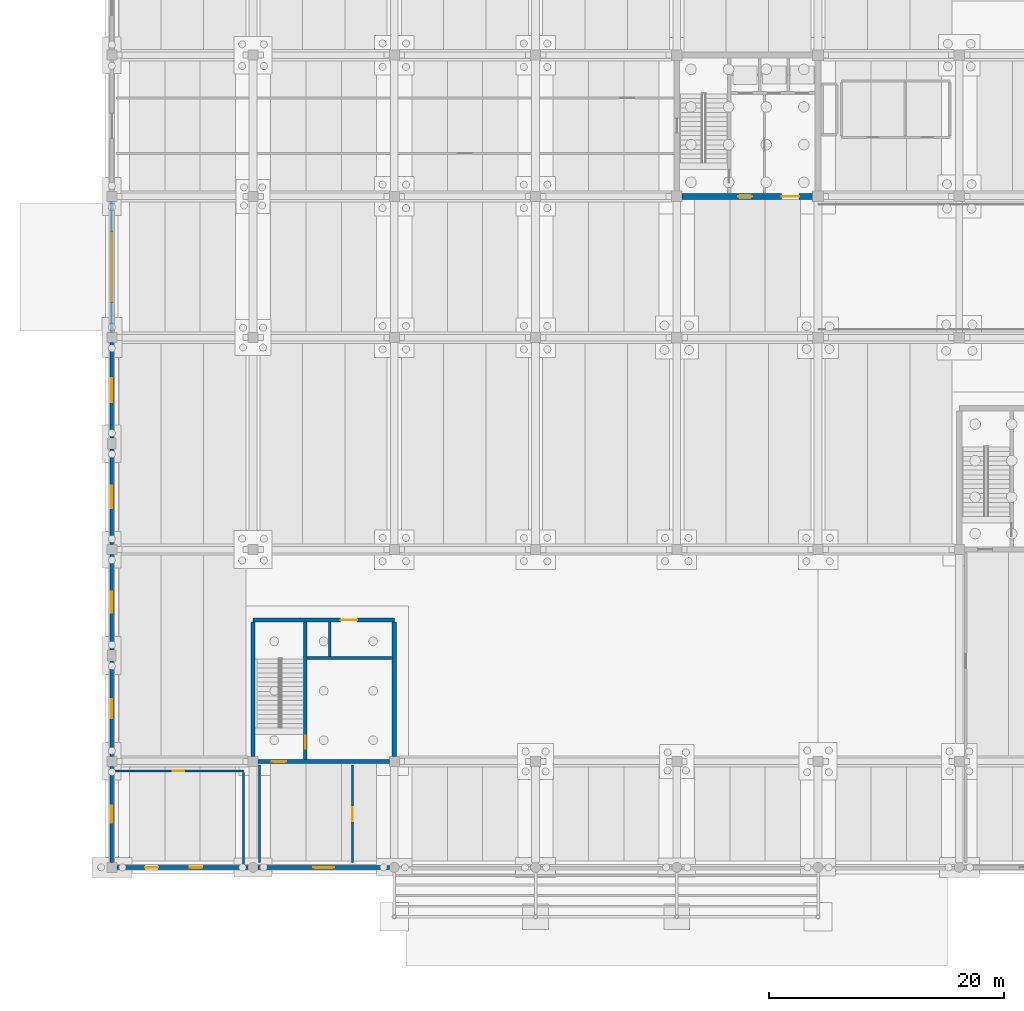
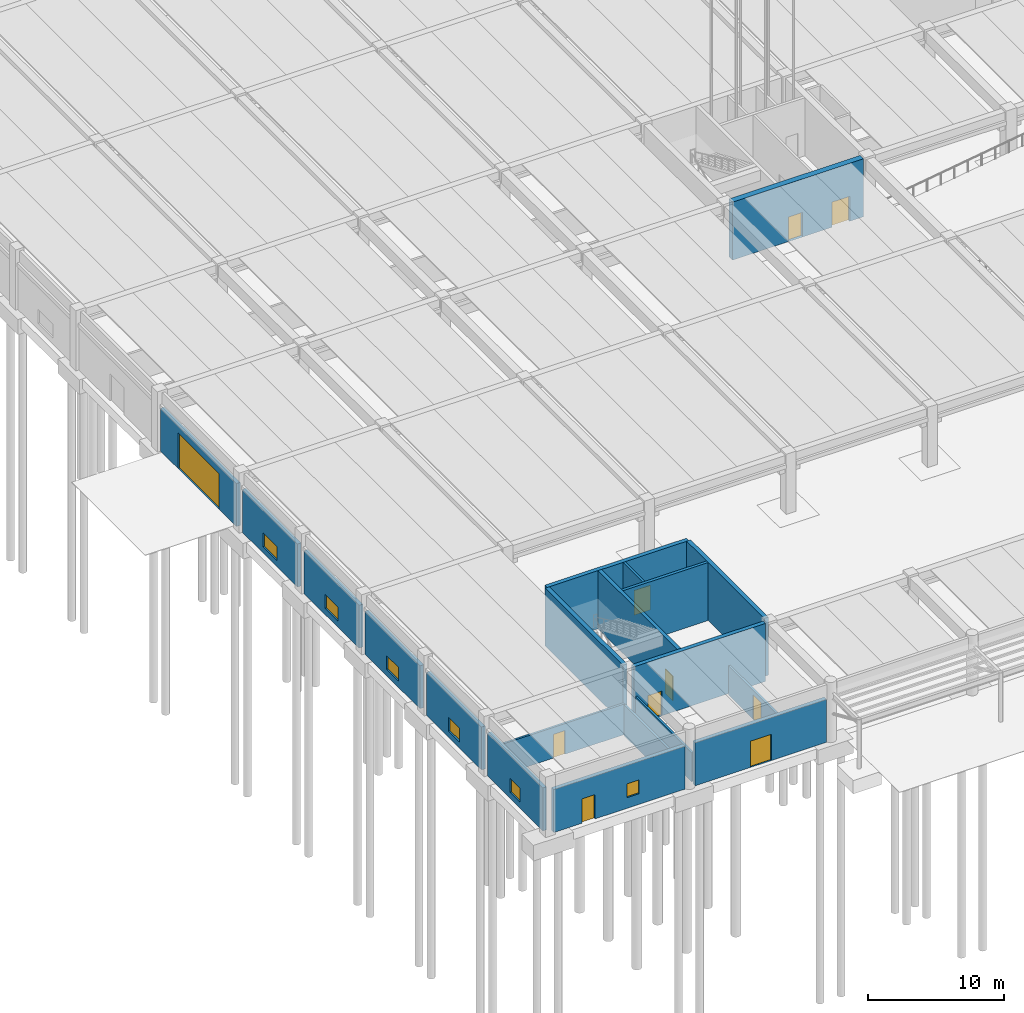
# One storey, part 25 of 59: 20 walls, 10 doors, 6 windows, 16 openings.
"""IFC4 building model written with IfcOpenShell, lengths in metres."""

import ifcopenshell
import ifcopenshell.guid

model = None  # the IFC model being written
_history = None  # IfcOwnerHistory: only IFC2X3 demands one
_inside = {}  # id of a spatial element -> (the spatial element, [elements in it])
_under = {}  # id of a project, library or spatial element -> (it, [spatial elements below it])
_declared = {}  # id of a project -> (the project, [libraries it declares])
_typed = {}  # id of a type object -> (the type object, [elements of that type])
_made_of = {}  # id of a material, layer set ... -> (it, [elements and type objects made of it])


def new_model(schema):
    """Start an empty IFC model of exactly this schema.

    Asked for "IFC4X3", IfcOpenShell would pick the latest addendum, in which some entities
    have other attributes; the version numbers below select the first issue.
    IFC2X3 requires an IfcOwnerHistory on every rooted entity: one is made here for all.
    """
    global model, _history
    if schema == "IFC4X3":
        model = ifcopenshell.file(schema_version=(4, 3, 0, 0))
    else:
        model = ifcopenshell.file(schema=schema)
    _inside.clear()
    _under.clear()
    _declared.clear()
    _typed.clear()
    _made_of.clear()
    _history = None
    if model.schema == "IFC2X3":
        org = make("IfcOrganization", Name="unknown")
        user = make(
            "IfcPersonAndOrganization",
            ThePerson=make("IfcPerson", FamilyName="unknown"),
            TheOrganization=org,
        )
        app = make(
            "IfcApplication",
            ApplicationDeveloper=org,
            Version="unknown",
            ApplicationFullName="unknown",
            ApplicationIdentifier="unknown",
        )
        _history = make(
            "IfcOwnerHistory",
            OwningUser=user,
            OwningApplication=app,
            ChangeAction="ADDED",
            CreationDate=0,
        )
    return model


def make(cls, **values):
    """One entity of the class cls with the attributes given. An attribute that is None is left unset."""
    return model.create_entity(
        cls, **{name: value for name, value in values.items() if value is not None}
    )


def rooted(cls, **values):
    """An entity with a GlobalId (a new one), such as an element, a storey or a relation."""
    return make(cls, GlobalId=ifcopenshell.guid.new(), OwnerHistory=_history, **values)


def si_unit(unit_type, name, prefix=None):
    """IfcSIUnit, for example si_unit("LENGTHUNIT", "METRE", prefix="MILLI")."""
    return make("IfcSIUnit", UnitType=unit_type, Prefix=prefix, Name=name)


def assignment(units):
    """IfcUnitAssignment: the units of a project."""
    return None if units is None else make("IfcUnitAssignment", Units=units)


def point(xyz):
    """IfcCartesianPoint."""
    return None if xyz is None else make("IfcCartesianPoint", Coordinates=xyz)


def direction(xyz):
    """IfcDirection."""
    return None if xyz is None else make("IfcDirection", DirectionRatios=xyz)


def frame(location, z_axis=None, x_axis=None):
    """IfcAxis2Placement3D, a coordinate frame: its origin and axes. An axis left out is left unset."""
    return make(
        "IfcAxis2Placement3D",
        Location=point(location),
        Axis=direction(z_axis),
        RefDirection=direction(x_axis),
    )


def frame_2d(location, x_axis=None):
    """IfcAxis2Placement2D, a coordinate frame in the plane: its origin and x axis."""
    return make(
        "IfcAxis2Placement2D", Location=point(location), RefDirection=direction(x_axis)
    )


def origin():
    """The frame at (0, 0, 0) with its axes left unset."""
    return frame((0.0, 0.0, 0.0))


def place(relative_to, where):
    """IfcLocalPlacement: puts the frame where relative to a parent placement (None: the world)."""
    return make(
        "IfcLocalPlacement", PlacementRelTo=relative_to, RelativePlacement=where
    )


def context(
    kind, dimensions, precision=None, world=None, true_north=None, identifier=None
):
    """IfcGeometricRepresentationContext, for example the 3D "Model" context."""
    return make(
        "IfcGeometricRepresentationContext",
        ContextIdentifier=identifier,
        ContextType=kind,
        CoordinateSpaceDimension=dimensions,
        Precision=precision,
        WorldCoordinateSystem=world,
        TrueNorth=true_north,
    )


def subcontext(parent, identifier, kind, view, scale=None):
    """IfcGeometricRepresentationSubContext, for example "Body" below "Model"."""
    return make(
        "IfcGeometricRepresentationSubContext",
        ContextIdentifier=identifier,
        ContextType=kind,
        ParentContext=parent,
        TargetScale=scale,
        TargetView=view,
    )


def project(units=None, contexts=None):
    """IfcProject with its units and contexts."""
    return rooted(
        "IfcProject",
        Name="project",
        RepresentationContexts=contexts,
        UnitsInContext=assignment(units),
    )


def spatial(cls, under=None, at=None, **own):
    """A site, building, storey or space (cls), placed at a placement, below another one or the project."""
    s = rooted(cls, ObjectPlacement=at, **own)
    if under is not None:
        _under.setdefault(under.id(), (under, []))[1].append(s)
    return s


def profile(cls, at=None, kind="AREA", **sizes):
    """A parametric profile (cls). Its sizes go by their IFC names, for example OverallWidth=200.0."""
    return make(cls, ProfileType=kind, Position=at, **sizes)


def rectangle(**sizes):
    """IfcRectangleProfileDef."""
    return profile("IfcRectangleProfileDef", **sizes)


def extrude(swept, where, along, depth):
    """IfcExtrudedAreaSolid: the profile swept, set in the frame where, extruded along a direction by depth."""
    return make(
        "IfcExtrudedAreaSolid",
        SweptArea=swept,
        Position=where,
        ExtrudedDirection=direction(along),
        Depth=depth,
    )


def shape(context_of_items, identifier, shape_type, items):
    """IfcShapeRepresentation: the items that make up one representation, for example the "Body"."""
    return make(
        "IfcShapeRepresentation",
        ContextOfItems=context_of_items,
        RepresentationIdentifier=identifier,
        RepresentationType=shape_type,
        Items=items,
    )


def material(Name=None, Category=None):
    """IfcMaterial."""
    return make("IfcMaterial", Name=Name, Category=Category)


def layer(
    of_material, thickness, ventilated=None, Name=None, Category=None, Priority=None
):
    """IfcMaterialLayer: one layer of a wall or slab, of a material (None: an air gap)."""
    return make(
        "IfcMaterialLayer",
        Material=of_material,
        LayerThickness=thickness,
        IsVentilated=ventilated,
        Name=Name,
        Category=Category,
        Priority=Priority,
    )


def layer_set(layers, Name=None):
    """IfcMaterialLayerSet."""
    return make("IfcMaterialLayerSet", MaterialLayers=layers, LayerSetName=Name)


def made_of(thing, what):
    """Note that an element or type object is made of a material, layer set ...; save() writes the relation."""
    if what is not None:
        _made_of.setdefault(what.id(), (what, []))[1].append(thing)
    return thing


def type_object(cls, material=None, **own):
    """A type object (cls), such as IfcWallType, which elements share."""
    return made_of(rooted(cls, **own), material)


def element(
    cls,
    number,
    at=None,
    inside=None,
    cuts=None,
    type_object=None,
    material=None,
    context=None,
    identifier="Body",
    shape_type=None,
    held_by="IfcProductDefinitionShape",
    body=None,
    shapes=None,
    **own,
):
    """One element of the class cls, such as IfcWall. Its Tag is "e" and its number.

    at: its placement. inside: the storey or other place that contains it. cuts: it is an
    opening in that element (IfcRelVoidsElement). A single representation is given by context,
    identifier, shape_type and body (its items); several are given by shapes. held_by: the class
    of the entity that holds the representations. save() writes the other relations.
    """
    e = rooted(cls, Tag="e%d" % number, ObjectPlacement=at, **own)
    if body is not None:
        shapes = [shape(context, identifier, shape_type, body)]
    if shapes is not None:
        e.Representation = make(held_by, Representations=shapes)
    if inside is not None:
        _inside.setdefault(inside.id(), (inside, []))[1].append(e)
    if cuts is not None:
        rooted(
            "IfcRelVoidsElement", RelatingBuildingElement=cuts, RelatedOpeningElement=e
        )
    if type_object is not None:
        _typed.setdefault(type_object.id(), (type_object, []))[1].append(e)
    return made_of(e, material)


def fill(opening, filler):
    """IfcRelFillsElement: the door or window that sits in an opening."""
    return rooted(
        "IfcRelFillsElement",
        RelatingOpeningElement=opening,
        RelatedBuildingElement=filler,
    )


def aggregate(whole, parts):
    """IfcRelAggregates: a whole, such as a stair, and the parts it consists of."""
    return rooted("IfcRelAggregates", RelatingObject=whole, RelatedObjects=parts)


def save(model, path):
    """Write the relations noted so far, then the file.

    IfcRelAggregates (storeys below a building ...), IfcRelContainedInSpatialStructure (elements
    in a storey), IfcRelDefinesByType, IfcRelAssociatesMaterial and IfcRelDeclares: one each for
    every whole, place, type object, material and project.
    """
    for whole, parts in _under.values():
        aggregate(whole, parts)
    for where, things in _inside.values():
        rooted(
            "IfcRelContainedInSpatialStructure",
            RelatedElements=things,
            RelatingStructure=where,
        )
    for kind, things in _typed.values():
        rooted("IfcRelDefinesByType", RelatedObjects=things, RelatingType=kind)
    for what, things in _made_of.values():
        rooted("IfcRelAssociatesMaterial", RelatedObjects=things, RelatingMaterial=what)
    for by, libraries in _declared.values():
        rooted("IfcRelDeclares", RelatingContext=by, RelatedDefinitions=libraries)
    model.write(path)


model = new_model("IFC4")

# Units and contexts
model_context = context("Model", 3, precision=1e-05, world=origin(), true_north=direction((0.0, 1.0)))
body_context = subcontext(model_context, "Body", "Model", "MODEL_VIEW")
ifc_project = project(units=[si_unit("LENGTHUNIT", "METRE"), si_unit("AREAUNIT", "SQUARE_METRE"), si_unit("VOLUMEUNIT", "CUBIC_METRE"), si_unit("PLANEANGLEUNIT", "RADIAN"), si_unit("MASSUNIT", "GRAM", prefix="KILO")], contexts=[model_context])

# Site, building, storey
site_placement = place(None, origin())
site = spatial("IfcSite", under=ifc_project, at=site_placement, CompositionType="ELEMENT")
building_placement = place(site_placement, origin())
building = spatial("IfcBuilding", under=site, at=building_placement, Name="Girod Span Mobility Hub", CompositionType="ELEMENT")
storey_placement = place(building_placement, origin())
storey = spatial("IfcBuildingStorey", under=building, at=storey_placement, Name="L00", CompositionType="ELEMENT", Elevation=0.0)

# Wall, opening, door
ifc_material_1 = material(Name="Concrete C40/50", Category="concrete")
ifc_layer_1 = layer(ifc_material_1, 0.35009765625)
ifc_layer_set_1 = layer_set([ifc_layer_1], Name="Concrete C40/50")
wall_type_1 = type_object("IfcWallType", Name="W-CW-350", PredefinedType="SHEAR", material=ifc_layer_set_1)
wall_1_placement = place(storey_placement, frame((12.422119140625, 9.0, 0.0), z_axis=(0.0, 0.0, 1.0), x_axis=(1.0, 0.0, 0.0)))
wall_1 = element("IfcWall", 1, at=wall_1_placement, inside=storey, type_object=wall_type_1, Name="Core C5 Shear Wall S L00", PredefinedType="SHEAR", context=body_context, shape_type="SweptSolid", body=[
    extrude(rectangle(XDim=11.15576171875, YDim=0.35009765625, at=frame_2d((5.577880859375, 0.0))), origin(), (0.0, 0.0, 1.0), 5.202880859375),
])
opening_1_placement = place(wall_1_placement, frame((1.177978515625, 0.0, 0.0)))
opening_1 = element("IfcOpeningElement", 2, at=opening_1_placement, cuts=wall_1, Name="Opening D-ST5-DIS", PredefinedType="OPENING", context=body_context, shape_type="SweptSolid", body=[
    extrude(rectangle(XDim=1.199951171875, YDim=2.199951171875, at=frame_2d((0.60009765625, 1.10009765625))), frame((0.0, 0.18994140625, 0.0), z_axis=(0.0, -1.0, 0.0), x_axis=(1.0, 0.0, 0.0)), (0.0, 0.0, 1.0), 0.380126953125),
])
ifc_material_2 = material(Name="Fire-Rated Insulated Hollow Metal Steel", Category="steel")
door_type_1 = type_object("IfcDoorType", Name="DT-FD-05", OperationType="NOTDEFINED", PredefinedType="DOOR", material=ifc_material_2)
door_1_placement = place(opening_1_placement, frame((1.199951171875, 0.0, 0.0), z_axis=(0.0, 0.0, 1.0), x_axis=(-1.0, 0.0, 0.0)))
door_1 = element("IfcDoor", 3, at=door_1_placement, inside=storey, type_object=door_type_1, Name="Stair ST-5 Ground Exit Passage Door", OperationType="SINGLE_SWING_RIGHT", OverallHeight=2.199951171875, OverallWidth=1.199951171875, PredefinedType="DOOR", context=body_context, shape_type="SweptSolid", body=[
    extrude(rectangle(XDim=1.199951171875, YDim=2.199951171875, at=frame_2d((0.60009765625, 1.10009765625))), frame((0.0, 0.02490234375, 0.0), z_axis=(0.0, -1.0, 0.0), x_axis=(1.0, 0.0, 0.0)), (0.0, 0.0, 1.0), 0.050048828125),
])
fill(opening_1, door_1)

wall_2_placement = place(storey_placement, frame((12.0, 21.0, 0.0), z_axis=(0.0, 0.0, 1.0), x_axis=(1.0, 0.0, 0.0)))
wall_2 = element("IfcWall", 4, at=wall_2_placement, inside=storey, type_object=wall_type_1, Name="Core C5 Shear Wall N L00", PredefinedType="SHEAR", context=body_context, shape_type="SweptSolid", body=[
    extrude(rectangle(XDim=12.0, YDim=0.35009765625, at=frame_2d((6.0, 0.0))), origin(), (0.0, 0.0, 1.0), 5.202880859375),
])
opening_2_placement = place(wall_2_placement, frame((7.449951171875, 0.0, 0.0)))
opening_2 = element("IfcOpeningElement", 5, at=opening_2_placement, cuts=wall_2, Name="Opening D-LB-C5-L00", PredefinedType="OPENING", context=body_context, shape_type="SweptSolid", body=[
    extrude(rectangle(XDim=1.39990234375, YDim=2.219970703125, at=frame_2d((0.699951171875, 1.10986328125))), frame((0.0, 0.18994140625, 0.0), z_axis=(0.0, -1.0, 0.0), x_axis=(1.0, 0.0, 0.0)), (0.0, 0.0, 1.0), 0.380126953125),
])
ifc_material_3 = material(Name="Fire-Rated Insulated Hollow Metal Steel", Category="steel")
door_type_2 = type_object("IfcDoorType", Name="DT-FD-04", OperationType="DOUBLE_DOOR_SINGLE_SWING", PredefinedType="DOOR", material=ifc_material_3)
door_2_placement = place(opening_2_placement, origin())
door_2 = element("IfcDoor", 6, at=door_2_placement, inside=storey, type_object=door_type_2, Name="Core C5 Boulevard Stair Lobby Door L00", OperationType="DOUBLE_DOOR_SINGLE_SWING", OverallHeight=2.219970703125, OverallWidth=1.39990234375, PredefinedType="DOOR", context=body_context, shape_type="SweptSolid", body=[
    extrude(rectangle(XDim=1.39990234375, YDim=2.219970703125, at=frame_2d((0.699951171875, 1.10986328125))), frame((0.0, 0.02490234375, 0.0), z_axis=(0.0, -1.0, 0.0), x_axis=(1.0, 0.0, 0.0)), (0.0, 0.0, 1.0), 0.050048828125),
])
fill(opening_2, door_2)

# Walls
for number, where, z_axis, x_axis, name in (
    (7, (12.0, 9.422119140625, 0.0), (0.0, 0.0, 1.0), (0.0, 1.0, 0.0), "Core C5 Shear Wall W L00"),
    (8, (24.0, 9.422119140625, 0.0), (0.0, 0.0, 1.0), (0.0, 1.0, 0.0), "Core C5 Shear Wall E L00"),
):
    element("IfcWall", number, at=place(storey_placement, frame(where, z_axis=z_axis, x_axis=x_axis)), inside=storey, type_object=wall_type_1, Name=name, PredefinedType="SHEAR", context=body_context, shape_type="SweptSolid", body=[
        extrude(rectangle(XDim=11.40576171875, YDim=0.35009765625, at=frame_2d((5.702880859375, 0.0))), origin(), (0.0, 0.0, 1.0), 5.202880859375),
    ])

# Wall, openings, doors
ifc_material_4 = material(Name="Concrete C40/50", Category="concrete")
ifc_layer_2 = layer(ifc_material_4, 0.5)
ifc_layer_set_2 = layer_set([ifc_layer_2], Name="Concrete C40/50")
wall_type_2 = type_object("IfcWallType", Name="W-CW-500", PredefinedType="SHEAR", material=ifc_layer_set_2)
wall_3_placement = place(storey_placement, frame((48.447021484375, 57.0, 0.0), z_axis=(0.0, 0.0, 1.0), x_axis=(1.0, 0.0, 0.0)))
wall_3 = element("IfcWall", 9, at=wall_3_placement, inside=storey, type_object=wall_type_2, Name="Core C1 Shear Wall S L00", PredefinedType="SHEAR", context=body_context, shape_type="SweptSolid", body=[
    extrude(rectangle(XDim=11.10595703125, YDim=0.5, at=frame_2d((5.552978515625, 0.0))), origin(), (0.0, 0.0, 1.0), 5.202880859375),
])
opening_3_placement = place(wall_3_placement, frame((4.7529296875, 0.0, 0.0)))
opening_3 = element("IfcOpeningElement", 10, at=opening_3_placement, cuts=wall_3, Name="Opening D-FL-C1-L00", PredefinedType="OPENING", context=body_context, shape_type="SweptSolid", body=[
    extrude(rectangle(XDim=1.199951171875, YDim=2.199951171875, at=frame_2d((0.60009765625, 1.10009765625))), frame((0.0, 0.264892578125, 0.0), z_axis=(0.0, -1.0, 0.0), x_axis=(1.0, 0.0, 0.0)), (0.0, 0.0, 1.0), 0.530029296875),
])
opening_4_placement = place(wall_3_placement, frame((8.452880859375, 0.0, 0.0)))
opening_4 = element("IfcOpeningElement", 11, at=opening_4_placement, cuts=wall_3, Name="Opening D-LB-C1-L00", PredefinedType="OPENING", context=body_context, shape_type="SweptSolid", body=[
    extrude(rectangle(XDim=1.5, YDim=2.25, at=frame_2d((0.75, 1.125))), frame((0.0, 0.264892578125, 0.0), z_axis=(0.0, -1.0, 0.0), x_axis=(1.0, 0.0, 0.0)), (0.0, 0.0, 1.0), 0.530029296875),
])
ifc_material_5 = material(Name="Fire-Rated Insulated Hollow Metal Steel", Category="steel")
door_type_3 = type_object("IfcDoorType", Name="DT-FD-03", OperationType="DOUBLE_DOOR_SINGLE_SWING", PredefinedType="DOOR", material=ifc_material_5)
door_3_placement = place(opening_4_placement, origin())
door_3 = element("IfcDoor", 12, at=door_3_placement, inside=storey, type_object=door_type_3, Name="Lift Lobby Entry Door C1 L00", OperationType="DOUBLE_DOOR_SINGLE_SWING", OverallHeight=2.25, OverallWidth=1.5, PredefinedType="DOOR", context=body_context, shape_type="SweptSolid", body=[
    extrude(rectangle(XDim=1.5, YDim=2.25, at=frame_2d((0.75, 1.125))), frame((0.0, 0.02490234375, 0.0), z_axis=(0.0, -1.0, 0.0), x_axis=(1.0, 0.0, 0.0)), (0.0, 0.0, 1.0), 0.050048828125),
])
fill(opening_4, door_3)
door_4_placement = place(opening_3_placement, frame((1.199951171875, 0.0, 0.0), z_axis=(0.0, 0.0, 1.0), x_axis=(-1.0, 0.0, 0.0)))
door_4 = element("IfcDoor", 13, at=door_4_placement, inside=storey, type_object=door_type_1, Name="Firefighting Lobby Entry Door C1 L00", OperationType="SINGLE_SWING_RIGHT", OverallHeight=2.199951171875, OverallWidth=1.199951171875, PredefinedType="DOOR", context=body_context, shape_type="SweptSolid", body=[
    extrude(rectangle(XDim=1.199951171875, YDim=2.199951171875, at=frame_2d((0.60009765625, 1.10009765625))), frame((0.0, 0.02490234375, 0.0), z_axis=(0.0, -1.0, 0.0), x_axis=(1.0, 0.0, 0.0)), (0.0, 0.0, 1.0), 0.050048828125),
])
fill(opening_3, door_4)

# Wall, opening, window
ifc_material_6 = material(Name="Precast Architectural Concrete C40/50", Category="concrete")
ifc_layer_3 = layer(ifc_material_6, 0.320068359375)
ifc_layer_set_3 = layer_set([ifc_layer_3], Name="Precast Architectural Concrete C40/50")
wall_type_3 = type_object("IfcWallType", Name="W-EXT-320", PredefinedType="SOLIDWALL", material=ifc_layer_set_3)
wall_4_placement = place(storey_placement, frame((0.0, 0.423095703125, 0.0), z_axis=(0.0, 0.0, 1.0), x_axis=(0.0, 1.0, 0.0)))
wall_4 = element("IfcWall", 14, at=wall_4_placement, inside=storey, type_object=wall_type_3, Name="Side Exterior Wall W-A-1 L00", PredefinedType="SOLIDWALL", context=body_context, shape_type="SweptSolid", body=[
    extrude(rectangle(XDim=8.15380859375, YDim=0.320068359375, at=frame_2d((4.076904296875, 0.0))), origin(), (0.0, 0.0, 1.0), 3.85009765625),
])
opening_5_placement = place(wall_4_placement, frame((3.35205078125, 0.0, 0.550048828125)))
opening_5 = element("IfcOpeningElement", 15, at=opening_5_placement, cuts=wall_4, Name="Opening W-L00-W01", PredefinedType="OPENING", context=body_context, shape_type="SweptSolid", body=[
    extrude(rectangle(XDim=1.449951171875, YDim=1.25, at=frame_2d((0.72509765625, 0.625))), frame((0.0, 0.175048828125, 0.0), z_axis=(0.0, -1.0, 0.0), x_axis=(1.0, 0.0, 0.0)), (0.0, 0.0, 1.0), 0.35009765625),
])
ifc_material_7 = material(Name="Double Low-E Insulated Glazing", Category="glass")
window_type_1 = type_object("IfcWindowType", Name="WN-04", PartitioningType="SINGLE_PANEL", PredefinedType="WINDOW", material=ifc_material_7)
window_1_placement = place(opening_5_placement, origin())
window_1 = element("IfcWindow", 16, at=window_1_placement, inside=storey, type_object=window_type_1, Name="Side Facade Window WN-04", OverallHeight=1.25, OverallWidth=1.449951171875, PartitioningType="SINGLE_PANEL", PredefinedType="WINDOW", context=body_context, shape_type="SweptSolid", body=[
    extrude(rectangle(XDim=1.449951171875, YDim=1.25, at=frame_2d((0.72509765625, 0.625))), frame((0.0, 0.030029296875, 0.0), z_axis=(0.0, -1.0, 0.0), x_axis=(1.0, 0.0, 0.0)), (0.0, 0.0, 1.0), 0.06005859375),
])
fill(opening_5, window_1)

wall_5_placement = place(storey_placement, frame((0.0, 9.423095703125, 0.0), z_axis=(0.0, 0.0, 1.0), x_axis=(0.0, 1.0, 0.0)))
wall_5 = element("IfcWall", 17, at=wall_5_placement, inside=storey, type_object=wall_type_3, Name="Side Exterior Wall W-B-1 L00", PredefinedType="SOLIDWALL", context=body_context, shape_type="SweptSolid", body=[
    extrude(rectangle(XDim=8.10400390625, YDim=0.320068359375, at=frame_2d((4.052001953125, 0.0))), origin(), (0.0, 0.0, 1.0), 3.85009765625),
])
opening_6_placement = place(wall_5_placement, frame((3.251953125, 0.0, 0.550048828125)))
opening_6 = element("IfcOpeningElement", 18, at=opening_6_placement, cuts=wall_5, Name="Opening W-L00-W11", PredefinedType="OPENING", context=body_context, shape_type="SweptSolid", body=[
    extrude(rectangle(XDim=1.60009765625, YDim=1.25, at=frame_2d((0.800048828125, 0.625))), frame((0.0, 0.175048828125, 0.0), z_axis=(0.0, -1.0, 0.0), x_axis=(1.0, 0.0, 0.0)), (0.0, 0.0, 1.0), 0.35009765625),
])
ifc_material_8 = material(Name="Double Low-E Insulated Glazing", Category="glass")
window_type_2 = type_object("IfcWindowType", Name="WN-05", PartitioningType="SINGLE_PANEL", PredefinedType="WINDOW", material=ifc_material_8)
window_2_placement = place(opening_6_placement, origin())
window_2 = element("IfcWindow", 19, at=window_2_placement, inside=storey, type_object=window_type_2, Name="Side Facade Window WN-05", OverallHeight=1.25, OverallWidth=1.60009765625, PartitioningType="SINGLE_PANEL", PredefinedType="WINDOW", context=body_context, shape_type="SweptSolid", body=[
    extrude(rectangle(XDim=1.60009765625, YDim=1.25, at=frame_2d((0.800048828125, 0.625))), frame((0.0, 0.030029296875, 0.0), z_axis=(0.0, -1.0, 0.0), x_axis=(1.0, 0.0, 0.0)), (0.0, 0.0, 1.0), 0.06005859375),
])
fill(opening_6, window_2)

wall_6_placement = place(storey_placement, frame((0.0, 18.472900390625, 0.0), z_axis=(0.0, 0.0, 1.0), x_axis=(0.0, 1.0, 0.0)))
wall_6 = element("IfcWall", 20, at=wall_6_placement, inside=storey, type_object=wall_type_3, Name="Side Exterior Wall W-B-2 L00", PredefinedType="SOLIDWALL", context=body_context, shape_type="SweptSolid", body=[
    extrude(rectangle(XDim=8.10400390625, YDim=0.320068359375, at=frame_2d((4.052001953125, 0.0))), origin(), (0.0, 0.0, 1.0), 3.85009765625),
])
opening_7_placement = place(wall_6_placement, frame((3.177001953125, 0.0, 0.550048828125)))
opening_7 = element("IfcOpeningElement", 21, at=opening_7_placement, cuts=wall_6, Name="Opening W-L00-W12", PredefinedType="OPENING", context=body_context, shape_type="SweptSolid", body=[
    extrude(rectangle(XDim=1.75, YDim=1.25, at=frame_2d((0.875, 0.625))), frame((0.0, 0.175048828125, 0.0), z_axis=(0.0, -1.0, 0.0), x_axis=(1.0, 0.0, 0.0)), (0.0, 0.0, 1.0), 0.35009765625),
])
ifc_material_9 = material(Name="Double Low-E Insulated Glazing", Category="glass")
window_type_3 = type_object("IfcWindowType", Name="WN-06", PartitioningType="SINGLE_PANEL", PredefinedType="WINDOW", material=ifc_material_9)
window_3_placement = place(opening_7_placement, origin())
window_3 = element("IfcWindow", 22, at=window_3_placement, inside=storey, type_object=window_type_3, Name="Side Facade Window WN-06", OverallHeight=1.25, OverallWidth=1.75, PartitioningType="SINGLE_PANEL", PredefinedType="WINDOW", context=body_context, shape_type="SweptSolid", body=[
    extrude(rectangle(XDim=1.75, YDim=1.25, at=frame_2d((0.875, 0.625))), frame((0.0, 0.030029296875, 0.0), z_axis=(0.0, -1.0, 0.0), x_axis=(1.0, 0.0, 0.0)), (0.0, 0.0, 1.0), 0.06005859375),
])
fill(opening_7, window_3)

wall_7_placement = place(storey_placement, frame((0.0, 27.423095703125, 0.0), z_axis=(0.0, 0.0, 1.0), x_axis=(0.0, 1.0, 0.0)))
wall_7 = element("IfcWall", 23, at=wall_7_placement, inside=storey, type_object=wall_type_3, Name="Side Exterior Wall W-C-1 L00", PredefinedType="SOLIDWALL", context=body_context, shape_type="SweptSolid", body=[
    extrude(rectangle(XDim=8.10400390625, YDim=0.320068359375, at=frame_2d((4.052001953125, 0.0))), origin(), (0.0, 0.0, 1.0), 3.85009765625),
])
opening_8_placement = place(wall_7_placement, frame((3.10205078125, 0.0, 0.550048828125)))
opening_8 = element("IfcOpeningElement", 24, at=opening_8_placement, cuts=wall_7, Name="Opening W-L00-W21", PredefinedType="OPENING", context=body_context, shape_type="SweptSolid", body=[
    extrude(rectangle(XDim=1.89990234375, YDim=1.25, at=frame_2d((0.949951171875, 0.625))), frame((0.0, 0.175048828125, 0.0), z_axis=(0.0, -1.0, 0.0), x_axis=(1.0, 0.0, 0.0)), (0.0, 0.0, 1.0), 0.35009765625),
])
ifc_material_10 = material(Name="Double Low-E Insulated Glazing", Category="glass")
window_type_4 = type_object("IfcWindowType", Name="WN-07", PartitioningType="DOUBLE_PANEL_VERTICAL", PredefinedType="WINDOW", material=ifc_material_10)
window_4_placement = place(opening_8_placement, origin())
window_4 = element("IfcWindow", 25, at=window_4_placement, inside=storey, type_object=window_type_4, Name="Side Facade Window WN-07", OverallHeight=1.25, OverallWidth=1.89990234375, PartitioningType="DOUBLE_PANEL_VERTICAL", PredefinedType="WINDOW", context=body_context, shape_type="SweptSolid", body=[
    extrude(rectangle(XDim=1.89990234375, YDim=1.25, at=frame_2d((0.949951171875, 0.625))), frame((0.0, 0.030029296875, 0.0), z_axis=(0.0, -1.0, 0.0), x_axis=(1.0, 0.0, 0.0)), (0.0, 0.0, 1.0), 0.06005859375),
])
fill(opening_8, window_4)

wall_8_placement = place(storey_placement, frame((0.0, 36.472900390625, 0.0), z_axis=(0.0, 0.0, 1.0), x_axis=(0.0, 1.0, 0.0)))
wall_8 = element("IfcWall", 26, at=wall_8_placement, inside=storey, type_object=wall_type_3, Name="Side Exterior Wall W-C-2 L00", PredefinedType="SOLIDWALL", context=body_context, shape_type="SweptSolid", body=[
    extrude(rectangle(XDim=8.10400390625, YDim=0.320068359375, at=frame_2d((4.052001953125, 0.0))), origin(), (0.0, 0.0, 1.0), 3.85009765625),
])
opening_9_placement = place(wall_8_placement, frame((3.027099609375, 0.0, 0.550048828125)))
opening_9 = element("IfcOpeningElement", 27, at=opening_9_placement, cuts=wall_8, Name="Opening W-L00-W22", PredefinedType="OPENING", context=body_context, shape_type="SweptSolid", body=[
    extrude(rectangle(XDim=2.050048828125, YDim=1.25, at=frame_2d((1.02490234375, 0.625))), frame((0.0, 0.175048828125, 0.0), z_axis=(0.0, -1.0, 0.0), x_axis=(1.0, 0.0, 0.0)), (0.0, 0.0, 1.0), 0.35009765625),
])
ifc_material_11 = material(Name="Double Low-E Insulated Glazing", Category="glass")
window_type_5 = type_object("IfcWindowType", Name="WN-08", PartitioningType="DOUBLE_PANEL_VERTICAL", PredefinedType="WINDOW", material=ifc_material_11)
window_5_placement = place(opening_9_placement, origin())
window_5 = element("IfcWindow", 28, at=window_5_placement, inside=storey, type_object=window_type_5, Name="Side Facade Window WN-08", OverallHeight=1.25, OverallWidth=2.050048828125, PartitioningType="DOUBLE_PANEL_VERTICAL", PredefinedType="WINDOW", context=body_context, shape_type="SweptSolid", body=[
    extrude(rectangle(XDim=2.050048828125, YDim=1.25, at=frame_2d((1.02490234375, 0.625))), frame((0.0, 0.030029296875, 0.0), z_axis=(0.0, -1.0, 0.0), x_axis=(1.0, 0.0, 0.0)), (0.0, 0.0, 1.0), 0.06005859375),
])
fill(opening_9, window_5)

# Wall, opening, door
wall_9_placement = place(storey_placement, frame((0.0, 45.423095703125, 0.0), z_axis=(0.0, 0.0, 1.0), x_axis=(0.0, 1.0, 0.0)))
wall_9 = element("IfcWall", 29, at=wall_9_placement, inside=storey, type_object=wall_type_3, Name="Side Exterior Wall W-D-1 L00", PredefinedType="SOLIDWALL", context=body_context, shape_type="SweptSolid", body=[
    extrude(rectangle(XDim=11.15380859375, YDim=0.320068359375, at=frame_2d((5.576904296875, 0.0))), origin(), (0.0, 0.0, 1.0), 3.85009765625),
])
opening_10_placement = place(wall_9_placement, frame((2.576904296875, 0.0, 0.0)))
opening_10 = element("IfcOpeningElement", 30, at=opening_10_placement, cuts=wall_9, Name="Opening VG-01", PredefinedType="OPENING", context=body_context, shape_type="SweptSolid", body=[
    extrude(rectangle(XDim=6.0, YDim=3.199951171875, at=frame_2d((3.0, 1.60009765625))), frame((0.0, 0.175048828125, 0.0), z_axis=(0.0, -1.0, 0.0), x_axis=(1.0, 0.0, 0.0)), (0.0, 0.0, 1.0), 0.35009765625),
])
ifc_material_12 = material(Name="Thermally Broken Anodised Aluminium", Category="aluminium")
door_type_4 = type_object("IfcDoorType", Name="VG-6000X3200", OperationType="DOUBLE_DOOR_SLIDING", PredefinedType="GATE", material=ifc_material_12)
door_5_placement = place(opening_10_placement, origin())
door_5 = element("IfcDoor", 31, at=door_5_placement, inside=storey, type_object=door_type_4, Name="Vehicle Ramp Entry Gate VG-01", OperationType="DOUBLE_DOOR_SLIDING", OverallHeight=3.199951171875, OverallWidth=6.0, PredefinedType="GATE", context=body_context, shape_type="SweptSolid", body=[
    extrude(rectangle(XDim=6.0, YDim=3.199951171875, at=frame_2d((3.0, 1.60009765625))), frame((0.0, 0.02490234375, 0.0), z_axis=(0.0, -1.0, 0.0), x_axis=(1.0, 0.0, 0.0)), (0.0, 0.0, 1.0), 0.050048828125),
])
fill(opening_10, door_5)

# Wall, openings, door, window
ifc_material_13 = material(Name="Precast Architectural Concrete C40/50", Category="concrete")
ifc_layer_4 = layer(ifc_material_13, 0.340087890625)
ifc_layer_set_4 = layer_set([ifc_layer_4], Name="Precast Architectural Concrete C40/50")
wall_type_4 = type_object("IfcWallType", Name="W-EXT-340", PredefinedType="SOLIDWALL", material=ifc_layer_set_4)
wall_10_placement = place(storey_placement, frame((0.423095703125, 0.0, 0.0), z_axis=(0.0, 0.0, 1.0), x_axis=(1.0, 0.0, 0.0)))
wall_10 = element("IfcWall", 32, at=wall_10_placement, inside=storey, type_object=wall_type_4, Name="Exterior Insulated Precast Wall S-1 L00", PredefinedType="SOLIDWALL", context=body_context, shape_type="SweptSolid", body=[
    extrude(rectangle(XDim=11.15380859375, YDim=0.340087890625, at=frame_2d((5.576904296875, 0.0))), origin(), (0.0, 0.0, 1.0), 3.85009765625),
])
opening_11_placement = place(wall_10_placement, frame((2.39990234375, 0.0, 0.0)))
opening_11 = element("IfcOpeningElement", 33, at=opening_11_placement, cuts=wall_10, Name="Opening D-L00-FCC-EXT", PredefinedType="OPENING", context=body_context, shape_type="SweptSolid", body=[
    extrude(rectangle(XDim=1.1201171875, YDim=2.179931640625, at=frame_2d((0.56005859375, 1.08984375))), frame((0.0, 0.18505859375, 0.0), z_axis=(0.0, -1.0, 0.0), x_axis=(1.0, 0.0, 0.0)), (0.0, 0.0, 1.0), 0.3701171875),
])
opening_12_placement = place(wall_10_placement, frame((6.199951171875, 0.0, 0.949951171875)))
opening_12 = element("IfcOpeningElement", 34, at=opening_12_placement, cuts=wall_10, Name="Opening W-L00-S0", PredefinedType="OPENING", context=body_context, shape_type="SweptSolid", body=[
    extrude(rectangle(XDim=1.050048828125, YDim=1.25, at=frame_2d((0.52490234375, 0.625))), frame((0.0, 0.18505859375, 0.0), z_axis=(0.0, -1.0, 0.0), x_axis=(1.0, 0.0, 0.0)), (0.0, 0.0, 1.0), 0.3701171875),
])
ifc_material_14 = material(Name="Thermally Broken Anodised Aluminium", Category="aluminium")
door_type_5 = type_object("IfcDoorType", Name="DR-EXT-06", OperationType="NOTDEFINED", PredefinedType="DOOR", material=ifc_material_14)
door_6_placement = place(opening_11_placement, frame((1.1201171875, 0.0, 0.0), z_axis=(0.0, 0.0, 1.0), x_axis=(-1.0, 0.0, 0.0)))
door_6 = element("IfcDoor", 35, at=door_6_placement, inside=storey, type_object=door_type_5, Name="Fire Command Centre Boulevard Entrance Door", OperationType="SINGLE_SWING_LEFT", OverallHeight=2.179931640625, OverallWidth=1.1201171875, PredefinedType="DOOR", context=body_context, shape_type="SweptSolid", body=[
    extrude(rectangle(XDim=1.1201171875, YDim=2.179931640625, at=frame_2d((0.56005859375, 1.08984375))), frame((0.0, 0.02490234375, 0.0), z_axis=(0.0, -1.0, 0.0), x_axis=(1.0, 0.0, 0.0)), (0.0, 0.0, 1.0), 0.050048828125),
])
fill(opening_11, door_6)
ifc_material_15 = material(Name="Double Low-E Insulated Glazing", Category="glass")
window_type_6 = type_object("IfcWindowType", Name="WN-01", PartitioningType="SINGLE_PANEL", PredefinedType="WINDOW", material=ifc_material_15)
window_6_placement = place(opening_12_placement, origin())
window_6 = element("IfcWindow", 36, at=window_6_placement, inside=storey, type_object=window_type_6, Name="Boulevard Window WN-01", OverallHeight=1.25, OverallWidth=1.050048828125, PartitioningType="SINGLE_PANEL", PredefinedType="WINDOW", context=body_context, shape_type="SweptSolid", body=[
    extrude(rectangle(XDim=1.050048828125, YDim=1.25, at=frame_2d((0.52490234375, 0.625))), frame((0.0, 0.030029296875, 0.0), z_axis=(0.0, -1.0, 0.0), x_axis=(1.0, 0.0, 0.0)), (0.0, 0.0, 1.0), 0.06005859375),
])
fill(opening_12, window_6)

# Wall, opening, door
wall_11_placement = place(storey_placement, frame((12.423095703125, 0.0, 0.0), z_axis=(0.0, 0.0, 1.0), x_axis=(1.0, 0.0, 0.0)))
wall_11 = element("IfcWall", 37, at=wall_11_placement, inside=storey, type_object=wall_type_4, Name="Exterior Insulated Precast Wall S-2 L00", PredefinedType="SOLIDWALL", context=body_context, shape_type="SweptSolid", body=[
    extrude(rectangle(XDim=11.15380859375, YDim=0.340087890625, at=frame_2d((5.576904296875, 0.0))), origin(), (0.0, 0.0, 1.0), 3.85009765625),
])
opening_13_placement = place(wall_11_placement, frame((4.697021484375, 0.0, 0.0)))
opening_13 = element("IfcOpeningElement", 38, at=opening_13_placement, cuts=wall_11, Name="Opening D-L00-S01", PredefinedType="OPENING", context=body_context, shape_type="SweptSolid", body=[
    extrude(rectangle(XDim=1.760009765625, YDim=2.360107421875, at=frame_2d((0.8798828125, 1.18017578125))), frame((0.0, 0.18505859375, 0.0), z_axis=(0.0, -1.0, 0.0), x_axis=(1.0, 0.0, 0.0)), (0.0, 0.0, 1.0), 0.3701171875),
])
ifc_material_16 = material(Name="Thermally Broken Anodised Aluminium", Category="aluminium")
door_type_6 = type_object("IfcDoorType", Name="DR-EXT-01", OperationType="DOUBLE_DOOR_SINGLE_SWING", PredefinedType="DOOR", material=ifc_material_16)
door_7_placement = place(opening_13_placement, frame((1.760009765625, 0.0, 0.0), z_axis=(0.0, 0.0, 1.0), x_axis=(-1.0, 0.0, 0.0)))
door_7 = element("IfcDoor", 39, at=door_7_placement, inside=storey, type_object=door_type_6, Name="South Boulevard Concourse Entrance 1", OperationType="DOUBLE_DOOR_SINGLE_SWING", OverallHeight=2.360107421875, OverallWidth=1.760009765625, PredefinedType="DOOR", context=body_context, shape_type="SweptSolid", body=[
    extrude(rectangle(XDim=1.760009765625, YDim=2.360107421875, at=frame_2d((0.8798828125, 1.18017578125))), frame((0.0, 0.02490234375, 0.0), z_axis=(0.0, -1.0, 0.0), x_axis=(1.0, 0.0, 0.0)), (0.0, 0.0, 1.0), 0.050048828125),
])
fill(opening_13, door_7)

ifc_material_17 = material(Name="Reinforced Concrete Masonry Block", Category="masonry")
ifc_layer_5 = layer(ifc_material_17, 0.179931640625)
ifc_layer_set_5 = layer_set([ifc_layer_5], Name="Reinforced Concrete Masonry Block")
wall_type_5 = type_object("IfcWallType", Name="W-FP-180", PredefinedType="SOLIDWALL", material=ifc_layer_set_5)
wall_12_placement = place(storey_placement, frame((0.139892578125, 8.199951171875, 0.0), z_axis=(0.0, 0.0, 1.0), x_axis=(1.0, 0.0, 0.0)))
wall_12 = element("IfcWall", 40, at=wall_12_placement, inside=storey, type_object=wall_type_5, Name="Fire Command Centre Partition N", PredefinedType="SOLIDWALL", context=body_context, shape_type="SweptSolid", body=[
    extrude(rectangle(XDim=11.06005859375, YDim=0.179931640625, at=frame_2d((5.530029296875, 0.0))), origin(), (0.0, 0.0, 1.0), 2.75),
])
opening_14_placement = place(wall_12_placement, frame((5.050048828125, 0.0, 0.0)))
opening_14 = element("IfcOpeningElement", 41, at=opening_14_placement, cuts=wall_12, Name="Opening D-L00-FCC", PredefinedType="OPENING", context=body_context, shape_type="SweptSolid", body=[
    extrude(rectangle(XDim=0.9599609375, YDim=2.1201171875, at=frame_2d((0.47998046875, 1.06005859375))), frame((0.0, 0.10498046875, 0.0), z_axis=(0.0, -1.0, 0.0), x_axis=(1.0, 0.0, 0.0)), (0.0, 0.0, 1.0), 0.2099609375),
])
ifc_material_18 = material(Name="Fire-Rated Insulated Hollow Metal Steel", Category="steel")
door_type_7 = type_object("IfcDoorType", Name="DT-FD-06", OperationType="NOTDEFINED", PredefinedType="DOOR", material=ifc_material_18)
door_8_placement = place(opening_14_placement, origin())
door_8 = element("IfcDoor", 42, at=door_8_placement, inside=storey, type_object=door_type_7, Name="Fire Command Centre Door", OperationType="SINGLE_SWING_LEFT", OverallHeight=2.1201171875, OverallWidth=0.9599609375, PredefinedType="DOOR", context=body_context, shape_type="SweptSolid", body=[
    extrude(rectangle(XDim=0.9599609375, YDim=2.1201171875, at=frame_2d((0.47998046875, 1.06005859375))), frame((0.0, 0.02490234375, 0.0), z_axis=(0.0, -1.0, 0.0), x_axis=(1.0, 0.0, 0.0)), (0.0, 0.0, 1.0), 0.050048828125),
])
fill(opening_14, door_8)

# Walls
wall_13_placement = place(storey_placement, frame((11.199951171875, 0.139892578125, 0.0), z_axis=(0.0, 0.0, 1.0), x_axis=(0.0, 1.0, 0.0)))
element("IfcWall", 43, at=wall_13_placement, inside=storey, type_object=wall_type_5, Name="Fire Command Centre Partition E", PredefinedType="SOLIDWALL", context=body_context, shape_type="SweptSolid", body=[
    extrude(rectangle(XDim=7.900146484375, YDim=0.179931640625, at=frame_2d((3.9501953125, 0.0))), origin(), (0.0, 0.0, 1.0), 2.75),
])
wall_14_placement = place(storey_placement, frame((12.550048828125, 0.39990234375, 0.0), z_axis=(0.0, 0.0, 1.0), x_axis=(0.0, 1.0, 0.0)))
element("IfcWall", 44, at=wall_14_placement, inside=storey, type_object=wall_type_5, Name="Exit Passage ST-5 West Wall", PredefinedType="SOLIDWALL", context=body_context, shape_type="SweptSolid", body=[
    extrude(rectangle(XDim=8.300048828125, YDim=0.179931640625, at=frame_2d((4.14990234375, 0.0))), origin(), (0.0, 0.0, 1.0), 2.60009765625),
])

# Wall, opening, door
wall_15_placement = place(storey_placement, frame((20.449951171875, 0.39990234375, 0.0), z_axis=(0.0, 0.0, 1.0), x_axis=(0.0, 1.0, 0.0)))
wall_15 = element("IfcWall", 45, at=wall_15_placement, inside=storey, type_object=wall_type_5, Name="Exit Passage ST-5 East Wall", PredefinedType="SOLIDWALL", context=body_context, shape_type="SweptSolid", body=[
    extrude(rectangle(XDim=8.300048828125, YDim=0.179931640625, at=frame_2d((4.14990234375, 0.0))), origin(), (0.0, 0.0, 1.0), 2.60009765625),
])
opening_15_placement = place(wall_15_placement, frame((3.5, 0.0, 0.0)))
opening_15 = element("IfcOpeningElement", 46, at=opening_15_placement, cuts=wall_15, Name="Opening D-EP5-E", PredefinedType="OPENING", context=body_context, shape_type="SweptSolid", body=[
    extrude(rectangle(XDim=1.199951171875, YDim=2.199951171875, at=frame_2d((0.60009765625, 1.10009765625))), frame((0.0, 0.10498046875, 0.0), z_axis=(0.0, -1.0, 0.0), x_axis=(1.0, 0.0, 0.0)), (0.0, 0.0, 1.0), 0.2099609375),
])
door_9_placement = place(opening_15_placement, frame((1.199951171875, 0.0, 0.0), z_axis=(0.0, 0.0, 1.0), x_axis=(-1.0, 0.0, 0.0)))
door_9 = element("IfcDoor", 47, at=door_9_placement, inside=storey, type_object=door_type_1, Name="Exit Passage ST-5 Concourse Access Door", OperationType="SINGLE_SWING_LEFT", OverallHeight=2.199951171875, OverallWidth=1.199951171875, PredefinedType="DOOR", context=body_context, shape_type="SweptSolid", body=[
    extrude(rectangle(XDim=1.199951171875, YDim=2.199951171875, at=frame_2d((0.60009765625, 1.10009765625))), frame((0.0, 0.02490234375, 0.0), z_axis=(0.0, -1.0, 0.0), x_axis=(1.0, 0.0, 0.0)), (0.0, 0.0, 1.0), 0.050048828125),
])
fill(opening_15, door_9)

# Walls
ifc_material_19 = material(Name="Concrete C40/50", Category="concrete")
ifc_layer_6 = layer(ifc_material_19, 0.199951171875)
ifc_layer_set_6 = layer_set([ifc_layer_6], Name="Concrete C40/50")
wall_type_6 = type_object("IfcWallType", Name="W-SH-200", PredefinedType="SOLIDWALL", material=ifc_layer_set_6)
wall_16_placement = place(storey_placement, frame((18.52001953125, 17.919921875, 0.0), z_axis=(0.0, 0.0, 1.0), x_axis=(0.0, 1.0, 0.0)))
element("IfcWall", 48, at=wall_16_placement, inside=storey, type_object=wall_type_6, Name="Core C5 Shaft Divider 1 L00", PredefinedType="SOLIDWALL", context=body_context, shape_type="SweptSolid", body=[
    extrude(rectangle(XDim=2.905029296875, YDim=0.199951171875, at=frame_2d((1.45263671875, 0.0))), origin(), (0.0, 0.0, 1.0), 5.193115234375),
])
ifc_material_20 = material(Name="Concrete C40/50", Category="concrete")
ifc_layer_7 = layer(ifc_material_20, 0.25)
ifc_layer_set_7 = layer_set([ifc_layer_7], Name="Concrete C40/50")
wall_type_7 = type_object("IfcWallType", Name="W-SH-250", PredefinedType="SOLIDWALL", material=ifc_layer_set_7)
wall_17_placement = place(storey_placement, frame((16.596923828125, 17.800048828125, 0.0), z_axis=(0.0, 0.0, 1.0), x_axis=(1.0, 0.0, 0.0)))
element("IfcWall", 49, at=wall_17_placement, inside=storey, type_object=wall_type_7, Name="Core C5 Hoistway Front Wall L00", PredefinedType="SOLIDWALL", context=body_context, shape_type="SweptSolid", body=[
    extrude(rectangle(XDim=7.23095703125, YDim=0.25, at=frame_2d((3.615478515625, 0.0))), origin(), (0.0, 0.0, 1.0), 5.202880859375),
])

# Wall, opening, door
ifc_material_21 = material(Name="Concrete C40/50", Category="concrete")
ifc_layer_8 = layer(ifc_material_21, 0.300048828125)
ifc_layer_set_8 = layer_set([ifc_layer_8], Name="Concrete C40/50")
wall_type_8 = type_object("IfcWallType", Name="W-SH-300", PredefinedType="SHEAR", material=ifc_layer_set_8)
wall_18_placement = place(storey_placement, frame((16.449951171875, 9.172119140625, 0.0), z_axis=(0.0, 0.0, 1.0), x_axis=(0.0, 1.0, 0.0)))
wall_18 = element("IfcWall", 50, at=wall_18_placement, inside=storey, type_object=wall_type_8, Name="Core C5 Stairwell Spine Wall L00", PredefinedType="SHEAR", context=body_context, shape_type="SweptSolid", body=[
    extrude(rectangle(XDim=11.65576171875, YDim=0.300048828125, at=frame_2d((5.827880859375, 0.0))), origin(), (0.0, 0.0, 1.0), 5.202880859375),
])
opening_16_placement = place(wall_18_placement, frame((0.89990234375, 0.0, 0.0)))
opening_16 = element("IfcOpeningElement", 51, at=opening_16_placement, cuts=wall_18, Name="Opening D-ST-5-L00", PredefinedType="OPENING", context=body_context, shape_type="SweptSolid", body=[
    extrude(rectangle(XDim=1.10009765625, YDim=2.199951171875, at=frame_2d((0.550048828125, 1.10009765625))), frame((0.0, 0.1650390625, 0.0), z_axis=(0.0, -1.0, 0.0), x_axis=(1.0, 0.0, 0.0)), (0.0, 0.0, 1.0), 0.330078125),
])
ifc_material_22 = material(Name="Fire-Rated Insulated Hollow Metal Steel", Category="steel")
door_type_8 = type_object("IfcDoorType", Name="DT-FD-01", OperationType="NOTDEFINED", PredefinedType="DOOR", material=ifc_material_22)
door_10_placement = place(opening_16_placement, origin())
door_10 = element("IfcDoor", 52, at=door_10_placement, inside=storey, type_object=door_type_8, Name="Stair ST-5 Fire Door L00", OperationType="SINGLE_SWING_LEFT", OverallHeight=2.199951171875, OverallWidth=1.10009765625, PredefinedType="DOOR", context=body_context, shape_type="SweptSolid", body=[
    extrude(rectangle(XDim=1.10009765625, YDim=2.199951171875, at=frame_2d((0.550048828125, 1.10009765625))), frame((0.0, 0.02490234375, 0.0), z_axis=(0.0, -1.0, 0.0), x_axis=(1.0, 0.0, 0.0)), (0.0, 0.0, 1.0), 0.050048828125),
])
fill(opening_16, door_10)

save(model, "model.ifc")
